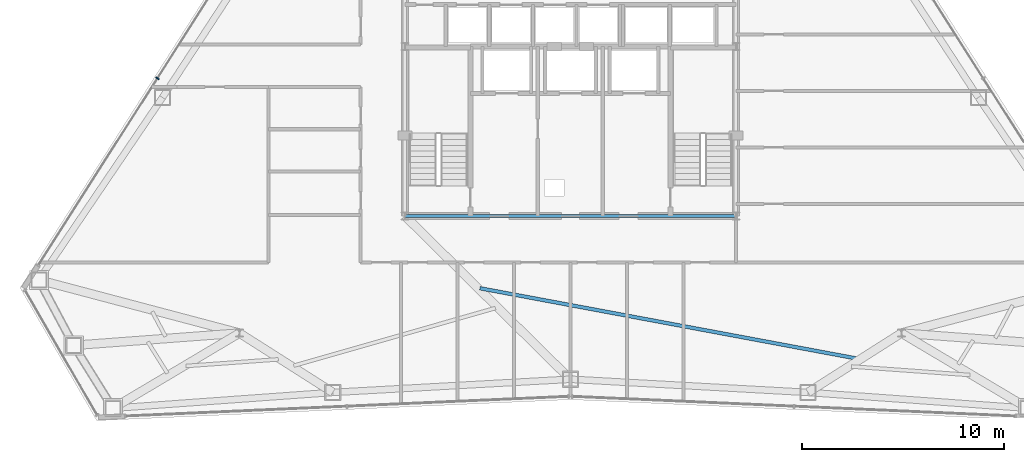
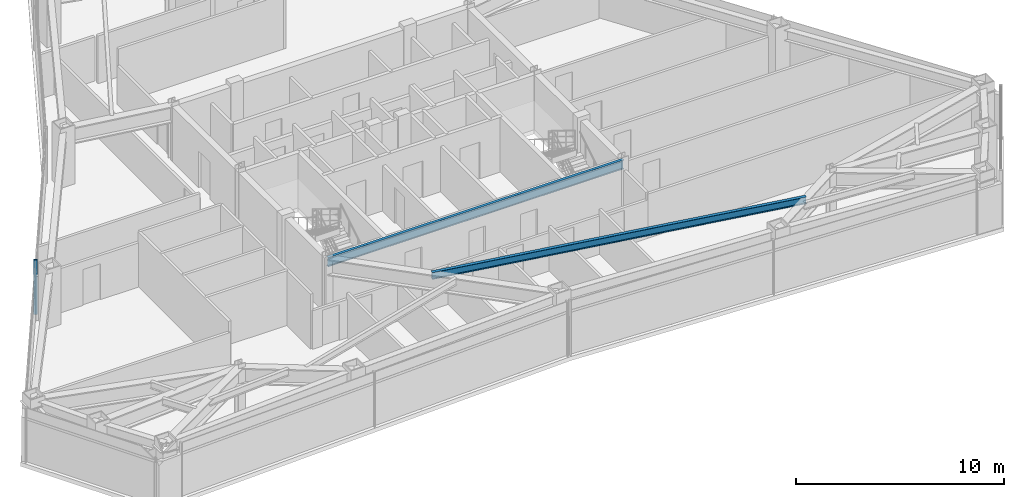
# One storey, part 4 of 13: 2 beams, 1 member, 1 element without a shape of its own.
"""IFC4 building model written with IfcOpenShell, lengths in metres."""

from ifc_helpers import new_model, si_unit, direction, frame, origin, origin_2d, place, context, subcontext, project, spatial, rectangle, i_section, extrude, source, transform, mapped, material, layer, layer_set, material_profile, profile_set, type_object, type_shapes, element, aggregate, save


model = new_model("IFC4")

# Units and contexts
model_context = context("Model", 3, precision=1e-05, world=origin(), true_north=direction((0.0, 1.0)))
body_context = subcontext(model_context, "Body", "Model", "MODEL_VIEW")
ifc_project = project(units=[si_unit("LENGTHUNIT", "METRE"), si_unit("AREAUNIT", "SQUARE_METRE"), si_unit("VOLUMEUNIT", "CUBIC_METRE"), si_unit("PLANEANGLEUNIT", "RADIAN"), si_unit("MASSUNIT", "GRAM", prefix="KILO")], contexts=[model_context])

# Site, building, storey
site_placement = place(None, origin())
site = spatial("IfcSite", under=ifc_project, at=site_placement, CompositionType="ELEMENT")
building_placement = place(site_placement, origin())
building = spatial("IfcBuilding", under=site, at=building_placement, Name="Varakhsha Concourse Tower", CompositionType="ELEMENT")
storey_placement = place(building_placement, frame((0.0, 0.0, 186.14990234375)))
storey = spatial("IfcBuildingStorey", under=building, at=storey_placement, Name="L53", CompositionType="ELEMENT", Elevation=186.14990234375)

# Beams
ifc_material_1 = material(Name="Structural Steel ASTM A992 Grade 50", Category="steel")
ifc_material_profile_1 = material_profile(ifc_material_1, i_section(OverallWidth=0.177978515625, OverallDepth=0.406982421875, WebThickness=0.008056640625, FlangeThickness=0.012939453125, at=origin_2d()), Name="W16X40")
ifc_profile_set_1 = profile_set([ifc_material_profile_1], Name="Structural Steel ASTM A992 Grade 50")
beam_type_1 = type_object("IfcBeamType", Name="BM-JST-W16X40", PredefinedType="JOIST", material=ifc_profile_set_1)
beam_1_placement = place(storey_placement, frame((35.51611328125, 12.8212890625, 3.006591796875), z_axis=(0.98305278924, -0.183322703359, 0.0), x_axis=(0.183322703359, 0.98305278924, 0.0)))
element("IfcBeam", 1, at=beam_1_placement, inside=storey, type_object=beam_type_1, Name="BM-TJST-L53-11", PredefinedType="JOIST", context=body_context, shape_type="SweptSolid", body=[
    extrude(i_section(OverallWidth=0.177978515625, OverallDepth=0.406982421875, WebThickness=0.008056640625, FlangeThickness=0.012939453125, at=origin_2d()), origin(), (0.0, 0.0, 1.0), 19.06396484375),
])
ifc_material_profile_2 = material_profile(ifc_material_1, i_section(OverallWidth=0.1669921875, OverallDepth=0.534912109375, WebThickness=0.010009765625, FlangeThickness=0.01708984375, at=origin_2d()), Name="W21X57")
ifc_profile_set_2 = profile_set([ifc_material_profile_2], Name="Structural Steel ASTM A992 Grade 50")
beam_type_2 = type_object("IfcBeamType", Name="BM-RAD-W21X57", PredefinedType="BEAM", material=ifc_profile_set_2)
beam_2_placement = place(storey_placement, frame((31.800048828125, 16.39990234375, 2.942626953125), z_axis=(1.0, 0.0, 0.0), x_axis=(0.0, 1.0, 0.0)))
element("IfcBeam", 2, at=beam_2_placement, inside=storey, type_object=beam_type_2, Name="BM-TCORE-L53-CS", PredefinedType="BEAM", context=body_context, shape_type="SweptSolid", body=[
    extrude(i_section(OverallWidth=0.1669921875, OverallDepth=0.534912109375, WebThickness=0.010009765625, FlangeThickness=0.01708984375, at=origin_2d()), origin(), (0.0, 0.0, 1.0), 16.39990234375),
])

# Curtain wall, member
ifc_material_2 = material(Name="Anodised Bronze Architectural Aluminium AA 6063-T6", Category="aluminium")
ifc_layer = layer(ifc_material_2, 0.2099609375, Name="CW-SYS-04")
ifc_layer_set = layer_set([ifc_layer], Name="Anodised Bronze Architectural Aluminium AA 6063-T6")
curtain_wall_type = type_object("IfcCurtainWallType", Name="CW-SYS-04", PredefinedType="NOTDEFINED", material=ifc_layer_set)
curtain_wall_placement = place(storey_placement, origin())
curtain_wall = element("IfcCurtainWall", 3, at=curtain_wall_placement, inside=storey, type_object=curtain_wall_type, Name="L53 Crystal Curtain Wall F3", PredefinedType="NOTDEFINED")
ifc_material_profile_3 = material_profile(ifc_material_2, rectangle(XDim=0.06494140625, YDim=0.179931640625, at=origin_2d()), Name="CWM-180X65")
ifc_profile_set_3 = profile_set([ifc_material_profile_3], Name="Anodised Bronze Architectural Aluminium AA 6063-T6")
member_type = type_object("IfcMemberType", Name="CWM-180X65", PredefinedType="MULLION", material=ifc_profile_set_3)
shared_shape = source(origin(), body_context, "Body", "SweptSolid", [
    extrude(rectangle(XDim=0.06494140625, YDim=0.179931640625, at=origin_2d()), origin(), (0.0, 0.0, 1.0), 3.210205078125),
])
type_shapes(member_type, [shared_shape])
member_placement = place(storey_placement, frame((19.541015625, 23.224609375, 0.0), z_axis=(0.0, 0.0, 1.0), x_axis=(0.537863262638, 0.84303209352, 0.0)))
member = element("IfcMember", 4, at=member_placement, type_object=member_type, Name="CW-L53-F3 Mullion 01", PredefinedType="MULLION", context=body_context, shape_type="MappedRepresentation", body=[
    mapped(shared_shape, transform((0.0, 0.0, 0.0), scale=1.0)),
])
aggregate(curtain_wall, [member])

save(model, "model.ifc")
